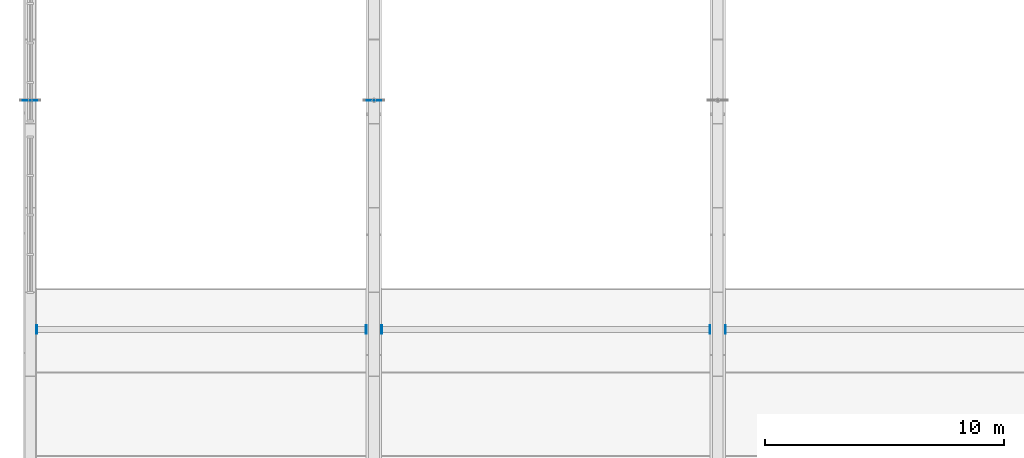
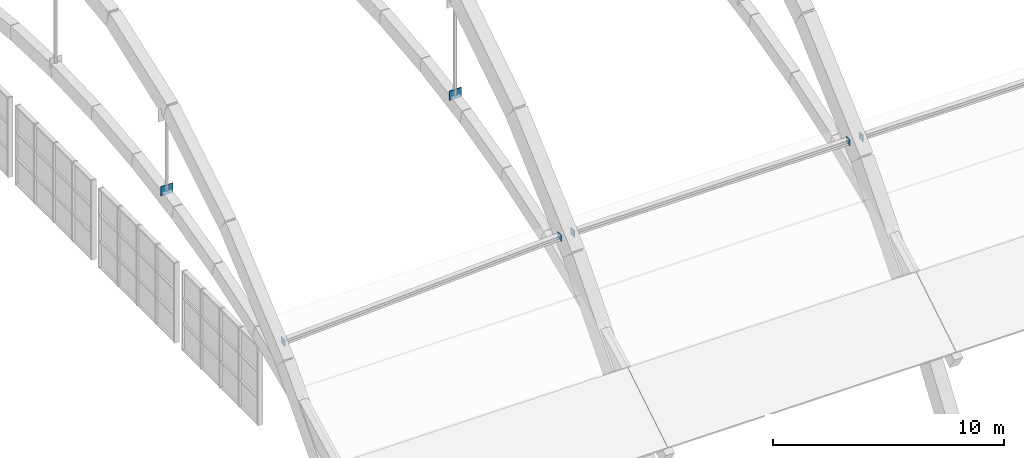
# One storey, part 46 of 64: 7 plates.
"""IFC4 building model written with IfcOpenShell, lengths in metres."""

from ifc_helpers import new_model, si_unit, direction, frame, origin, origin_2d, place, context, subcontext, project, spatial, rectangle, extrude, material, layer, layer_set, type_object, element, save


model = new_model("IFC4")

# Units and contexts
model_context = context("Model", 3, precision=1e-05, world=origin(), true_north=direction((0.0, 1.0)))
body_context = subcontext(model_context, "Body", "Model", "MODEL_VIEW")
ifc_project = project(units=[si_unit("LENGTHUNIT", "METRE"), si_unit("AREAUNIT", "SQUARE_METRE"), si_unit("VOLUMEUNIT", "CUBIC_METRE"), si_unit("PLANEANGLEUNIT", "RADIAN"), si_unit("MASSUNIT", "GRAM", prefix="KILO")], contexts=[model_context])

# Site, building, storey
site_placement = place(None, origin())
site = spatial("IfcSite", under=ifc_project, at=site_placement, CompositionType="ELEMENT")
building_placement = place(site_placement, origin())
building = spatial("IfcBuilding", under=site, at=building_placement, Name="Leyfeld Transit Interchange", CompositionType="ELEMENT")
storey_placement = place(building_placement, frame((0.0, 0.0, 9.60009765625)))
storey = spatial("IfcBuildingStorey", under=building, at=storey_placement, Name="L02", CompositionType="ELEMENT", Elevation=9.60009765625)

# Plates
ifc_material = material(Name="Steel S355J2", Category="steel")
ifc_layer_1 = layer(ifc_material, 0.02490234375, Name="Steel S355J2")
ifc_layer_set_1 = layer_set([ifc_layer_1], Name="Steel S355J2")
plate_type_1 = type_object("IfcPlateType", Name="PLT-CAP-25", PredefinedType="USERDEFINED", material=ifc_layer_set_1)
for number, where, z_axis, x_axis, name in (
    (1, (0.27490234375, 13.199951171875, 4.46826171875), (0.0, 0.0, 1.0), (0.0, 1.0, 0.0), "Arch Tie Chord West End Plate B1 T1"),
    (2, (14.074951171875, 13.199951171875, 5.166015625), (0.0, 0.0, 1.0), (0.0, 1.0, 0.0), "Arch Tie Chord East End Plate B1 T1"),
    (3, (14.72509765625, 13.199951171875, 5.166015625), (0.0, 0.0, 1.0), (0.0, 1.0, 0.0), "Arch Tie Chord West End Plate B2 T1"),
    (4, (28.47509765625, 13.199951171875, 5.166015625), (0.0, 0.0, 1.0), (0.0, 1.0, 0.0), "Arch Tie Chord East End Plate B2 T1"),
    (5, (29.125, 13.199951171875, 5.166015625), (0.0, 0.0, 1.0), (0.0, 1.0, 0.0), "Arch Tie Chord West End Plate B3 T1"),
):
    element("IfcPlate", number, at=place(storey_placement, frame(where, z_axis=z_axis, x_axis=x_axis)), inside=storey, type_object=plate_type_1, Name=name, ObjectType="FLANGE_PLATE", PredefinedType="USERDEFINED", context=body_context, shape_type="SweptSolid", body=[
        extrude(rectangle(XDim=0.340087890625, YDim=0.02490234375, at=origin_2d()), origin(), (0.0, 0.0, 1.0), 0.340087890625),
    ])
ifc_layer_2 = layer(ifc_material, 0.02490234375, Name="Steel S355J2")
ifc_layer_set_2 = layer_set([ifc_layer_2], Name="Steel S355J2")
plate_type_2 = type_object("IfcPlateType", Name="PLT-GUS-25", PredefinedType="SHEET", material=ifc_layer_set_2)
for number, where, z_axis, x_axis, name in (
    (6, (0.0, 22.800048828125, 6.68505859375), (0.0, 0.0, 1.0), (1.0, 0.0, 0.0), "Hanger Lower Clevis Plate GP-W H3"),
    (7, (14.39990234375, 22.800048828125, 6.68505859375), (0.0, 0.0, 1.0), (1.0, 0.0, 0.0), "Hanger Lower Clevis Plate AR-01 H3"),
):
    element("IfcPlate", number, at=place(storey_placement, frame(where, z_axis=z_axis, x_axis=x_axis)), inside=storey, type_object=plate_type_2, Name=name, PredefinedType="SHEET", context=body_context, shape_type="SweptSolid", body=[
        extrude(rectangle(XDim=0.60009765625, YDim=0.02490234375, at=origin_2d()), origin(), (0.0, 0.0, 1.0), 0.5),
    ])

save(model, "model.ifc")
